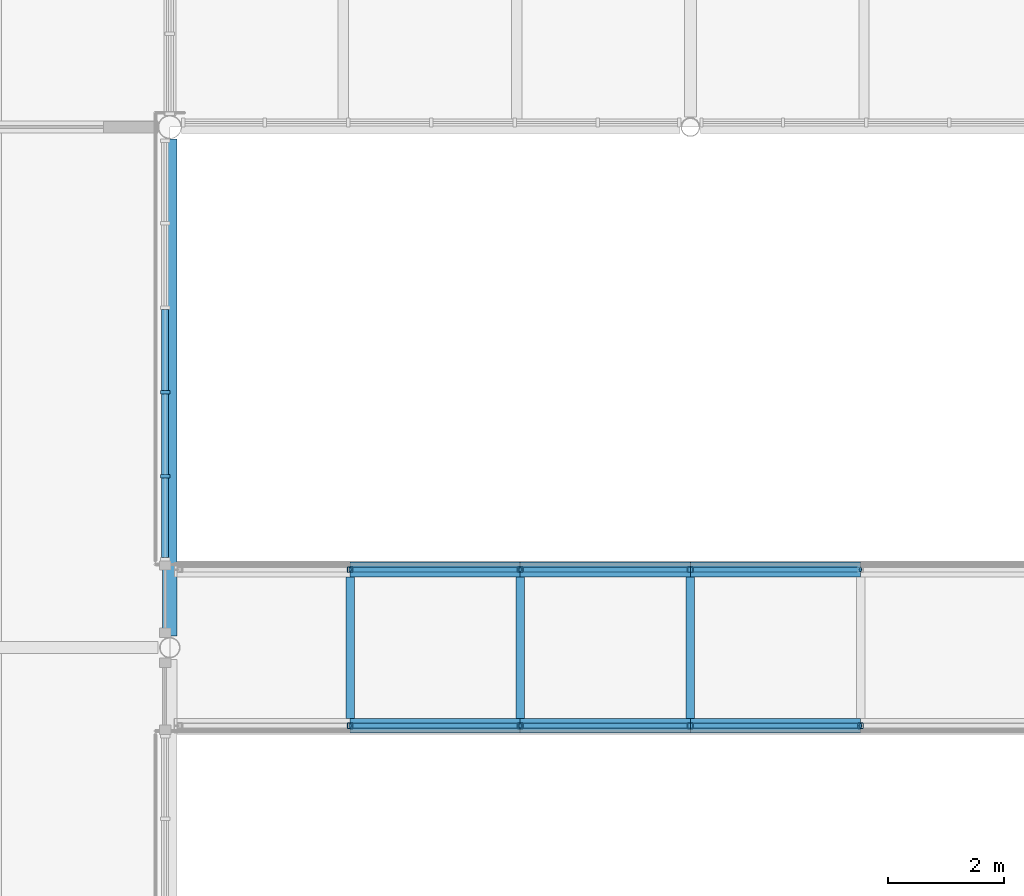
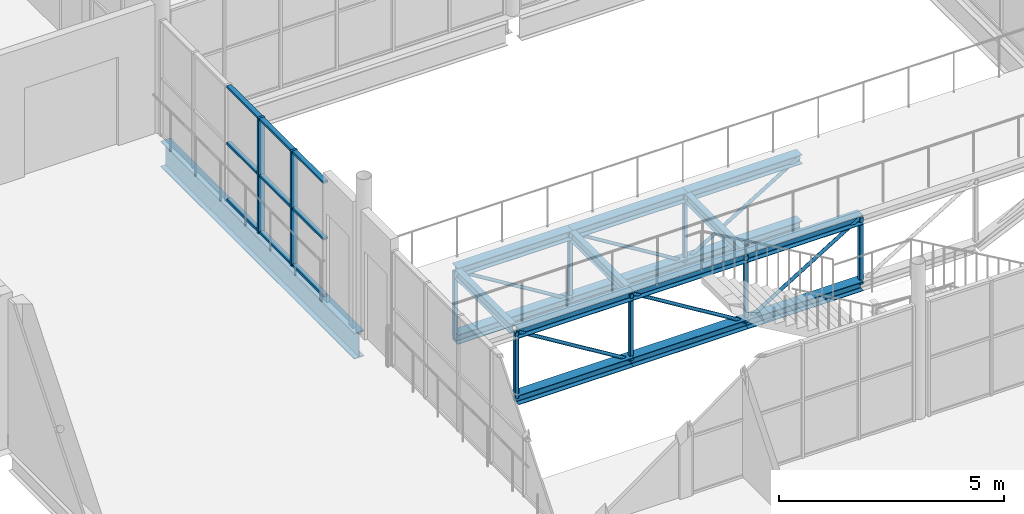
# One storey, part 21 of 61: 36 members, 4 beams, 1 element without a shape of its own.
"""IFC4 building model written with IfcOpenShell, lengths in metres."""

from ifc_helpers import new_model, si_unit, direction, frame, origin, origin_2d, place, context, subcontext, project, spatial, rectangle, hollow_rectangle, hollow_circle, i_section, extrude, material, layer, layer_set, material_profile, profile_set, type_object, element, aggregate, save


model = new_model("IFC4")

# Units and contexts
model_context = context("Model", 3, precision=1e-05, world=origin(), true_north=direction((0.0, 1.0)))
body_context = subcontext(model_context, "Body", "Model", "MODEL_VIEW")
ifc_project = project(units=[si_unit("LENGTHUNIT", "METRE"), si_unit("AREAUNIT", "SQUARE_METRE"), si_unit("VOLUMEUNIT", "CUBIC_METRE"), si_unit("PLANEANGLEUNIT", "RADIAN"), si_unit("MASSUNIT", "GRAM", prefix="KILO")], contexts=[model_context])

# Site, building, storey
site_placement = place(None, origin())
site = spatial("IfcSite", under=ifc_project, at=site_placement, CompositionType="ELEMENT")
building_placement = place(site_placement, origin())
building = spatial("IfcBuilding", under=site, at=building_placement, Name="Halyard Row Museum", CompositionType="ELEMENT")
storey_placement = place(building_placement, frame((0.0, 0.0, 9.199951171875)))
storey = spatial("IfcBuildingStorey", under=building, at=storey_placement, Name="L02", CompositionType="ELEMENT", Elevation=9.199951171875)

# Beam
ifc_material_1 = material(Name="Steel Grade 300", Category="steel")
ifc_material_profile_1 = material_profile(ifc_material_1, i_section(OverallWidth=0.25, OverallDepth=0.699951171875, WebThickness=0.010009765625, FlangeThickness=0.02001953125, at=origin_2d()), Name="700WB130")
ifc_profile_set_1 = profile_set([ifc_material_profile_1], Name="Steel Grade 300")
beam_type_1 = type_object("IfcBeamType", Name="Bearing beam 700WB130", PredefinedType="BEAM", material=ifc_profile_set_1)
beam_placement = place(storey_placement, frame((81.0, 18.203125, -0.514892578125), z_axis=(0.0, 1.0, 0.0), x_axis=(-1.0, 0.0, 0.0)))
element("IfcBeam", 1, at=beam_placement, inside=storey, type_object=beam_type_1, Name="Beam L02-069", PredefinedType="BEAM", context=body_context, shape_type="SweptSolid", body=[
    extrude(i_section(OverallWidth=0.25, OverallDepth=0.699951171875, WebThickness=0.010009765625, FlangeThickness=0.02001953125, at=origin_2d()), origin(), (0.0, 0.0, 1.0), 8.59375),
])

# Curtain wall, members
ifc_material_2 = material(Name="Fire-resisting laminated glazing", Category="glass")
ifc_layer = layer(ifc_material_2, 0.159912109375)
ifc_layer_set = layer_set([ifc_layer], Name="Fire-resisting laminated glazing")
curtain_wall_type = type_object("IfcCurtainWallType", Name="Curtain wall atrium screen 160 deep", PredefinedType="NOTDEFINED", material=ifc_layer_set)
curtain_wall_placement = place(storey_placement, origin())
curtain_wall = element("IfcCurtainWall", 2, at=curtain_wall_placement, inside=storey, type_object=curtain_wall_type, Name="Curtain wall CW091", PredefinedType="NOTDEFINED")
ifc_material_3 = material(Name="Powder-coated aluminium section", Category="aluminium")
ifc_material_profile_2 = material_profile(ifc_material_3, rectangle(XDim=0.159912109375, YDim=0.06005859375, at=origin_2d()), Name="160x60 mullion")
ifc_profile_set_2 = profile_set([ifc_material_profile_2], Name="Powder-coated aluminium section")
member_type_1 = type_object("IfcMemberType", Name="Curtain wall mullion CM5 60 x 160", PredefinedType="MULLION", material=ifc_profile_set_2)
member_1_placement = place(storey_placement, frame((80.919921875, 22.418701171875, 0.0), z_axis=(0.0, 0.0, 1.0), x_axis=(1.0, 0.0, 0.0)))
member_1 = element("IfcMember", 3, at=member_1_placement, type_object=member_type_1, Name="CW091 mullion 4", PredefinedType="MULLION", context=body_context, shape_type="SweptSolid", body=[
    extrude(rectangle(XDim=0.159912109375, YDim=0.06005859375, at=origin_2d()), origin(), (0.0, 0.0, 1.0), 3.12451171875),
])
member_2_placement = place(storey_placement, frame((80.919921875, 20.95947265625, 0.0), z_axis=(0.0, 0.0, 1.0), x_axis=(1.0, 0.0, 0.0)))
member_2 = element("IfcMember", 4, at=member_2_placement, type_object=member_type_1, Name="CW091 mullion 5", PredefinedType="MULLION", context=body_context, shape_type="SweptSolid", body=[
    extrude(rectangle(XDim=0.159912109375, YDim=0.06005859375, at=origin_2d()), origin(), (0.0, 0.0, 1.0), 3.12451171875),
])
ifc_material_4 = material(Name="Powder-coated aluminium section", Category="aluminium")
ifc_material_profile_3 = material_profile(ifc_material_4, rectangle(XDim=0.1201171875, YDim=0.06005859375, at=origin_2d()), Name="120x60 transom")
ifc_profile_set_3 = profile_set([ifc_material_profile_3], Name="Powder-coated aluminium section")
member_type_2 = type_object("IfcMemberType", Name="Curtain wall transom CT5 60 x 120", PredefinedType="USERDEFINED", material=ifc_profile_set_3)
member_3_placement = place(storey_placement, frame((80.919921875, 23.84814453125, 0.030029296875), z_axis=(0.0, -1.0, 0.0), x_axis=(1.0, 0.0, 0.0)))
member_3 = element("IfcMember", 5, at=member_3_placement, type_object=member_type_2, Name="CW091 transom 3.1", ObjectType="TRANSOM", PredefinedType="USERDEFINED", context=body_context, shape_type="SweptSolid", body=[
    extrude(rectangle(XDim=0.1201171875, YDim=0.06005859375, at=origin_2d()), origin(), (0.0, 0.0, 1.0), 1.3994140625),
])
member_4_placement = place(storey_placement, frame((80.919921875, 23.84814453125, 1.562255859375), z_axis=(0.0, -1.0, 0.0), x_axis=(1.0, 0.0, 0.0)))
member_4 = element("IfcMember", 6, at=member_4_placement, type_object=member_type_2, Name="CW091 transom 3.2", ObjectType="TRANSOM", PredefinedType="USERDEFINED", context=body_context, shape_type="SweptSolid", body=[
    extrude(rectangle(XDim=0.1201171875, YDim=0.06005859375, at=origin_2d()), origin(), (0.0, 0.0, 1.0), 1.3994140625),
])
member_5_placement = place(storey_placement, frame((80.919921875, 23.84814453125, 3.094482421875), z_axis=(0.0, -1.0, 0.0), x_axis=(1.0, 0.0, 0.0)))
member_5 = element("IfcMember", 7, at=member_5_placement, type_object=member_type_2, Name="CW091 transom 3.3", ObjectType="TRANSOM", PredefinedType="USERDEFINED", context=body_context, shape_type="SweptSolid", body=[
    extrude(rectangle(XDim=0.1201171875, YDim=0.06005859375, at=origin_2d()), origin(), (0.0, 0.0, 1.0), 1.3994140625),
])
member_6_placement = place(storey_placement, frame((80.919921875, 22.388671875, 0.030029296875), z_axis=(0.0, -1.0, 0.0), x_axis=(1.0, 0.0, 0.0)))
member_6 = element("IfcMember", 8, at=member_6_placement, type_object=member_type_2, Name="CW091 transom 4.1", ObjectType="TRANSOM", PredefinedType="USERDEFINED", context=body_context, shape_type="SweptSolid", body=[
    extrude(rectangle(XDim=0.1201171875, YDim=0.06005859375, at=origin_2d()), origin(), (0.0, 0.0, 1.0), 1.3994140625),
])
member_7_placement = place(storey_placement, frame((80.919921875, 22.388671875, 1.562255859375), z_axis=(0.0, -1.0, 0.0), x_axis=(1.0, 0.0, 0.0)))
member_7 = element("IfcMember", 9, at=member_7_placement, type_object=member_type_2, Name="CW091 transom 4.2", ObjectType="TRANSOM", PredefinedType="USERDEFINED", context=body_context, shape_type="SweptSolid", body=[
    extrude(rectangle(XDim=0.1201171875, YDim=0.06005859375, at=origin_2d()), origin(), (0.0, 0.0, 1.0), 1.3994140625),
])
member_8_placement = place(storey_placement, frame((80.919921875, 22.388671875, 3.094482421875), z_axis=(0.0, -1.0, 0.0), x_axis=(1.0, 0.0, 0.0)))
member_8 = element("IfcMember", 10, at=member_8_placement, type_object=member_type_2, Name="CW091 transom 4.3", ObjectType="TRANSOM", PredefinedType="USERDEFINED", context=body_context, shape_type="SweptSolid", body=[
    extrude(rectangle(XDim=0.1201171875, YDim=0.06005859375, at=origin_2d()), origin(), (0.0, 0.0, 1.0), 1.3994140625),
])
member_9_placement = place(storey_placement, frame((80.919921875, 20.929443359375, 0.030029296875), z_axis=(0.0, -1.0, 0.0), x_axis=(1.0, 0.0, 0.0)))
member_9 = element("IfcMember", 11, at=member_9_placement, type_object=member_type_2, Name="CW091 transom 5.1", ObjectType="TRANSOM", PredefinedType="USERDEFINED", context=body_context, shape_type="SweptSolid", body=[
    extrude(rectangle(XDim=0.1201171875, YDim=0.06005859375, at=origin_2d()), origin(), (0.0, 0.0, 1.0), 1.369384765625),
])
member_10_placement = place(storey_placement, frame((80.919921875, 20.929443359375, 1.562255859375), z_axis=(0.0, -1.0, 0.0), x_axis=(1.0, 0.0, 0.0)))
member_10 = element("IfcMember", 12, at=member_10_placement, type_object=member_type_2, Name="CW091 transom 5.2", ObjectType="TRANSOM", PredefinedType="USERDEFINED", context=body_context, shape_type="SweptSolid", body=[
    extrude(rectangle(XDim=0.1201171875, YDim=0.06005859375, at=origin_2d()), origin(), (0.0, 0.0, 1.0), 1.369384765625),
])
member_11_placement = place(storey_placement, frame((80.919921875, 20.929443359375, 3.094482421875), z_axis=(0.0, -1.0, 0.0), x_axis=(1.0, 0.0, 0.0)))
member_11 = element("IfcMember", 13, at=member_11_placement, type_object=member_type_2, Name="CW091 transom 5.3", ObjectType="TRANSOM", PredefinedType="USERDEFINED", context=body_context, shape_type="SweptSolid", body=[
    extrude(rectangle(XDim=0.1201171875, YDim=0.06005859375, at=origin_2d()), origin(), (0.0, 0.0, 1.0), 1.369384765625),
])
aggregate(curtain_wall, [member_1, member_2, member_3, member_4, member_5, member_6, member_7, member_8, member_9, member_10, member_11])

# Beams
ifc_material_5 = material(Name="Steel Grade 300", Category="steel")
ifc_material_profile_4 = material_profile(ifc_material_5, i_section(OverallWidth=0.14599609375, OverallDepth=0.256103515625, WebThickness=0.00634765625, FlangeThickness=0.010986328125, FilletRadius=0.0087890625, at=origin_2d()), Name="250UB37.3")
ifc_profile_set_4 = profile_set([ifc_material_profile_4], Name="Steel Grade 300")
beam_type_2 = type_object("IfcBeamType", Name="Frame beam 250UB37.3", PredefinedType="BEAM", material=ifc_profile_set_4)
for number, where, z_axis, x_axis, name in (
    (14, (84.11669921875, 16.777099609375, -0.29296875), (0.0, 1.0, 0.0), (-1.0, 0.0, 0.0), "BT1 cross beam 2"),
    (15, (87.058349609375, 16.777099609375, -0.29296875), (0.0, 1.0, 0.0), (-1.0, 0.0, 0.0), "BT1 cross beam 3"),
    (16, (90.0, 16.777099609375, -0.29296875), (0.0, 1.0, 0.0), (-1.0, 0.0, 0.0), "BT1 cross beam 4"),
):
    element("IfcBeam", number, at=place(storey_placement, frame(where, z_axis=z_axis, x_axis=x_axis)), inside=storey, type_object=beam_type_2, Name=name, PredefinedType="BEAM", context=body_context, shape_type="SweptSolid", body=[
        extrude(i_section(OverallWidth=0.14599609375, OverallDepth=0.256103515625, WebThickness=0.00634765625, FlangeThickness=0.010986328125, FilletRadius=0.0087890625, at=origin_2d()), origin(), (0.0, 0.0, 1.0), 2.44580078125),
    ])

# Members
ifc_material_6 = material(Name="Steel Grade 300", Category="steel")
ifc_material_profile_5 = material_profile(ifc_material_6, i_section(OverallWidth=0.25390625, OverallDepth=0.25390625, WebThickness=0.008544921875, FlangeThickness=0.01416015625, FilletRadius=0.013916015625, at=origin_2d()), Name="250UC72.9")
ifc_profile_set_5 = profile_set([ifc_material_profile_5], Name="Steel Grade 300")
member_type_3 = type_object("IfcMemberType", Name="Truss chord 250UC72.9 bottom", PredefinedType="CHORD", material=ifc_profile_set_5)
for number, where, z_axis, x_axis, name in (
    (17, (84.11669921875, 16.64990234375, -2.091796875), (1.0, 0.0, 0.0), (0.0, 1.0, 0.0), "BT1S bottom chord 2"),
    (18, (87.058349609375, 16.64990234375, -2.091796875), (1.0, 0.0, 0.0), (0.0, 1.0, 0.0), "BT1S bottom chord 3"),
    (19, (90.0, 16.64990234375, -2.091796875), (1.0, 0.0, 0.0), (0.0, 1.0, 0.0), "BT1S bottom chord 4"),
    (20, (84.11669921875, 19.35009765625, -2.091796875), (1.0, 0.0, 0.0), (0.0, 1.0, 0.0), "BT1N bottom chord 2"),
    (21, (87.058349609375, 19.35009765625, -2.091796875), (1.0, 0.0, 0.0), (0.0, 1.0, 0.0), "BT1N bottom chord 3"),
    (22, (90.0, 19.35009765625, -2.091796875), (1.0, 0.0, 0.0), (0.0, 1.0, 0.0), "BT1N bottom chord 4"),
):
    element("IfcMember", number, at=place(storey_placement, frame(where, z_axis=z_axis, x_axis=x_axis)), inside=storey, type_object=member_type_3, Name=name, PredefinedType="CHORD", context=body_context, shape_type="SweptSolid", body=[
        extrude(i_section(OverallWidth=0.25390625, OverallDepth=0.25390625, WebThickness=0.008544921875, FlangeThickness=0.01416015625, FilletRadius=0.013916015625, at=origin_2d()), origin(), (0.0, 0.0, 1.0), 2.941650390625),
    ])
ifc_material_7 = material(Name="Steel Grade 300", Category="steel")
ifc_material_profile_6 = material_profile(ifc_material_7, i_section(OverallWidth=0.25390625, OverallDepth=0.25390625, WebThickness=0.008544921875, FlangeThickness=0.01416015625, FilletRadius=0.013916015625, at=origin_2d()), Name="250UC72.9")
ifc_profile_set_6 = profile_set([ifc_material_profile_6], Name="Steel Grade 300")
member_type_4 = type_object("IfcMemberType", Name="Truss chord 250UC72.9 top", PredefinedType="CHORD", material=ifc_profile_set_6)
for number, where, z_axis, x_axis, name in (
    (23, (84.11669921875, 16.64990234375, -0.291748046875), (1.0, 0.0, 0.0), (0.0, 1.0, 0.0), "BT1S top chord 2"),
    (24, (87.058349609375, 16.64990234375, -0.291748046875), (1.0, 0.0, 0.0), (0.0, 1.0, 0.0), "BT1S top chord 3"),
    (25, (90.0, 16.64990234375, -0.291748046875), (1.0, 0.0, 0.0), (0.0, 1.0, 0.0), "BT1S top chord 4"),
    (26, (84.11669921875, 19.35009765625, -0.291748046875), (1.0, 0.0, 0.0), (0.0, 1.0, 0.0), "BT1N top chord 2"),
    (27, (87.058349609375, 19.35009765625, -0.291748046875), (1.0, 0.0, 0.0), (0.0, 1.0, 0.0), "BT1N top chord 3"),
    (28, (90.0, 19.35009765625, -0.291748046875), (1.0, 0.0, 0.0), (0.0, 1.0, 0.0), "BT1N top chord 4"),
):
    element("IfcMember", number, at=place(storey_placement, frame(where, z_axis=z_axis, x_axis=x_axis)), inside=storey, type_object=member_type_4, Name=name, PredefinedType="CHORD", context=body_context, shape_type="SweptSolid", body=[
        extrude(i_section(OverallWidth=0.25390625, OverallDepth=0.25390625, WebThickness=0.008544921875, FlangeThickness=0.01416015625, FilletRadius=0.013916015625, at=origin_2d()), origin(), (0.0, 0.0, 1.0), 2.941650390625),
    ])
ifc_material_8 = material(Name="Steel Grade C250L0", Category="steel")
ifc_material_profile_7 = material_profile(ifc_material_8, hollow_circle(Radius=0.04443359375, WallThickness=0.0048828125, at=origin_2d()), Name="88.9x5.0CHS")
ifc_profile_set_7 = profile_set([ifc_material_profile_7], Name="Steel Grade C250L0")
member_type_5 = type_object("IfcMemberType", Name="Truss diagonal 88.9x5.0CHS", PredefinedType="BRACE", material=ifc_profile_set_7)
for number, where, z_axis, x_axis, name in (
    (29, (84.11669921875, 16.64990234375, -0.291748046875), (0.852975450501, 0.0, -0.521951032994), (0.0, 1.0, 0.0), "BT1S diagonal 2"),
    (30, (87.058349609375, 16.64990234375, -0.291748046875), (0.852975450501, 0.0, -0.521951032994), (0.0, 1.0, 0.0), "BT1S diagonal 3"),
    (31, (90.0, 16.64990234375, -2.091796875), (0.852975450501, 0.0, 0.521951032994), (0.0, 1.0, 0.0), "BT1S diagonal 4"),
    (32, (84.11669921875, 19.35009765625, -0.291748046875), (0.852975450501, 0.0, -0.521951032994), (0.0, 1.0, 0.0), "BT1N diagonal 2"),
    (33, (87.058349609375, 19.35009765625, -0.291748046875), (0.852975450501, 0.0, -0.521951032994), (0.0, 1.0, 0.0), "BT1N diagonal 3"),
    (34, (90.0, 19.35009765625, -2.091796875), (0.852975450501, 0.0, 0.521951032994), (0.0, 1.0, 0.0), "BT1N diagonal 4"),
):
    element("IfcMember", number, at=place(storey_placement, frame(where, z_axis=z_axis, x_axis=x_axis)), inside=storey, type_object=member_type_5, Name=name, PredefinedType="BRACE", context=body_context, shape_type="SweptSolid", body=[
        extrude(hollow_circle(Radius=0.04443359375, WallThickness=0.0048828125, at=origin_2d()), origin(), (0.0, 0.0, 1.0), 3.44873046875),
    ])
ifc_material_9 = material(Name="Steel Grade C350L0", Category="steel")
ifc_material_profile_8 = material_profile(ifc_material_9, hollow_rectangle(XDim=0.10009765625, YDim=0.10009765625, WallThickness=0.006103515625, InnerFilletRadius=0.009033203125, OuterFilletRadius=0.014892578125, at=origin_2d()), Name="100x100x6.0SHS")
ifc_profile_set_8 = profile_set([ifc_material_profile_8], Name="Steel Grade C350L0")
member_type_6 = type_object("IfcMemberType", Name="Truss post 100x100x6.0SHS", PredefinedType="POST", material=ifc_profile_set_8)
for number, where, z_axis, x_axis, name in (
    (35, (84.11669921875, 16.64990234375, -2.091796875), (0.0, 0.0, 1.0), (1.0, 0.0, 0.0), "BT1S post 2"),
    (36, (87.058349609375, 16.64990234375, -2.091796875), (0.0, 0.0, 1.0), (1.0, 0.0, 0.0), "BT1S post 3"),
    (37, (90.0, 16.64990234375, -2.091796875), (0.0, 0.0, 1.0), (1.0, 0.0, 0.0), "BT1S post 4"),
    (38, (92.941650390625, 16.64990234375, -2.091796875), (0.0, 0.0, 1.0), (1.0, 0.0, 0.0), "BT1S post 5"),
    (39, (84.11669921875, 19.35009765625, -2.091796875), (0.0, 0.0, 1.0), (1.0, 0.0, 0.0), "BT1N post 2"),
    (40, (87.058349609375, 19.35009765625, -2.091796875), (0.0, 0.0, 1.0), (1.0, 0.0, 0.0), "BT1N post 3"),
    (41, (90.0, 19.35009765625, -2.091796875), (0.0, 0.0, 1.0), (1.0, 0.0, 0.0), "BT1N post 4"),
):
    element("IfcMember", number, at=place(storey_placement, frame(where, z_axis=z_axis, x_axis=x_axis)), inside=storey, type_object=member_type_6, Name=name, PredefinedType="POST", context=body_context, shape_type="SweptSolid", body=[
        extrude(hollow_rectangle(XDim=0.10009765625, YDim=0.10009765625, WallThickness=0.006103515625, InnerFilletRadius=0.009033203125, OuterFilletRadius=0.014892578125, at=origin_2d()), origin(), (0.0, 0.0, 1.0), 1.800048828125),
    ])

save(model, "model.ifc")
